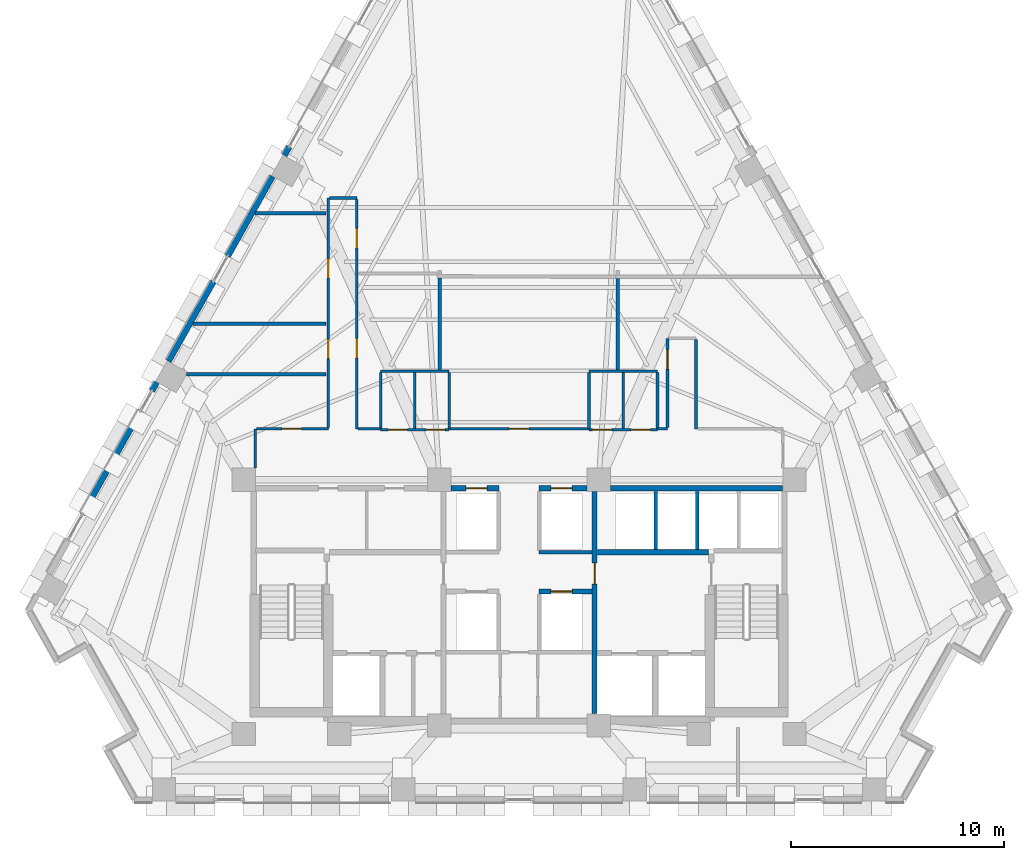
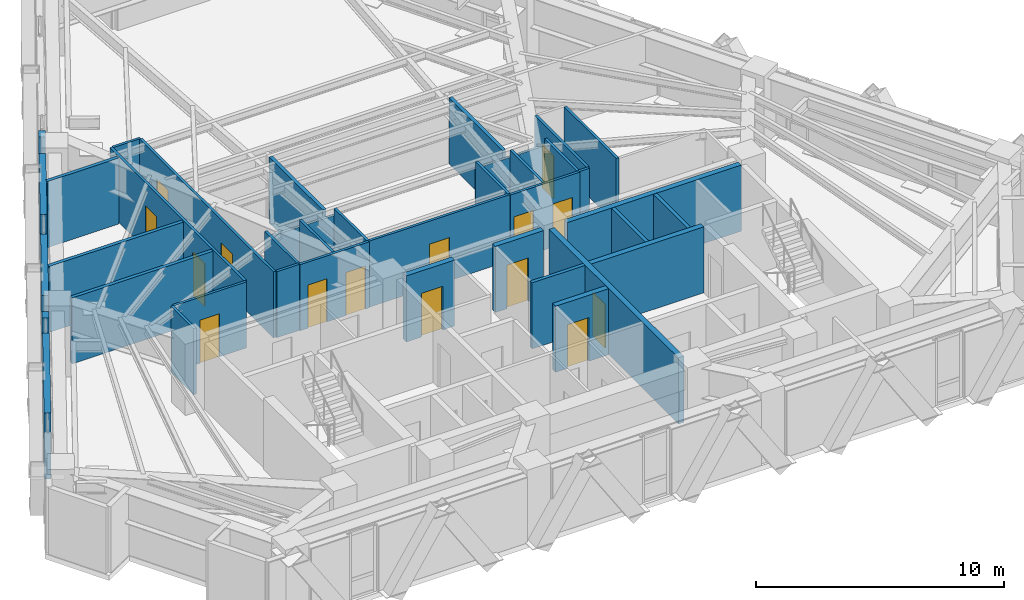
# One storey, part 8 of 13: 39 walls, 15 doors, 15 openings.
"""IFC4 building model written with IfcOpenShell, lengths in metres."""

import ifcopenshell
import ifcopenshell.guid

model = None  # the IFC model being written
_history = None  # IfcOwnerHistory: only IFC2X3 demands one
_inside = {}  # id of a spatial element -> (the spatial element, [elements in it])
_under = {}  # id of a project, library or spatial element -> (it, [spatial elements below it])
_declared = {}  # id of a project -> (the project, [libraries it declares])
_typed = {}  # id of a type object -> (the type object, [elements of that type])
_made_of = {}  # id of a material, layer set ... -> (it, [elements and type objects made of it])


def new_model(schema):
    """Start an empty IFC model of exactly this schema.

    Asked for "IFC4X3", IfcOpenShell would pick the latest addendum, in which some entities
    have other attributes; the version numbers below select the first issue.
    IFC2X3 requires an IfcOwnerHistory on every rooted entity: one is made here for all.
    """
    global model, _history
    if schema == "IFC4X3":
        model = ifcopenshell.file(schema_version=(4, 3, 0, 0))
    else:
        model = ifcopenshell.file(schema=schema)
    _inside.clear()
    _under.clear()
    _declared.clear()
    _typed.clear()
    _made_of.clear()
    _history = None
    if model.schema == "IFC2X3":
        org = make("IfcOrganization", Name="unknown")
        user = make(
            "IfcPersonAndOrganization",
            ThePerson=make("IfcPerson", FamilyName="unknown"),
            TheOrganization=org,
        )
        app = make(
            "IfcApplication",
            ApplicationDeveloper=org,
            Version="unknown",
            ApplicationFullName="unknown",
            ApplicationIdentifier="unknown",
        )
        _history = make(
            "IfcOwnerHistory",
            OwningUser=user,
            OwningApplication=app,
            ChangeAction="ADDED",
            CreationDate=0,
        )
    return model


def make(cls, **values):
    """One entity of the class cls with the attributes given. An attribute that is None is left unset."""
    return model.create_entity(
        cls, **{name: value for name, value in values.items() if value is not None}
    )


def rooted(cls, **values):
    """An entity with a GlobalId (a new one), such as an element, a storey or a relation."""
    return make(cls, GlobalId=ifcopenshell.guid.new(), OwnerHistory=_history, **values)


def si_unit(unit_type, name, prefix=None):
    """IfcSIUnit, for example si_unit("LENGTHUNIT", "METRE", prefix="MILLI")."""
    return make("IfcSIUnit", UnitType=unit_type, Prefix=prefix, Name=name)


def assignment(units):
    """IfcUnitAssignment: the units of a project."""
    return None if units is None else make("IfcUnitAssignment", Units=units)


def point(xyz):
    """IfcCartesianPoint."""
    return None if xyz is None else make("IfcCartesianPoint", Coordinates=xyz)


def direction(xyz):
    """IfcDirection."""
    return None if xyz is None else make("IfcDirection", DirectionRatios=xyz)


def frame(location, z_axis=None, x_axis=None):
    """IfcAxis2Placement3D, a coordinate frame: its origin and axes. An axis left out is left unset."""
    return make(
        "IfcAxis2Placement3D",
        Location=point(location),
        Axis=direction(z_axis),
        RefDirection=direction(x_axis),
    )


def frame_2d(location, x_axis=None):
    """IfcAxis2Placement2D, a coordinate frame in the plane: its origin and x axis."""
    return make(
        "IfcAxis2Placement2D", Location=point(location), RefDirection=direction(x_axis)
    )


def origin():
    """The frame at (0, 0, 0) with its axes left unset."""
    return frame((0.0, 0.0, 0.0))


def place(relative_to, where):
    """IfcLocalPlacement: puts the frame where relative to a parent placement (None: the world)."""
    return make(
        "IfcLocalPlacement", PlacementRelTo=relative_to, RelativePlacement=where
    )


def context(
    kind, dimensions, precision=None, world=None, true_north=None, identifier=None
):
    """IfcGeometricRepresentationContext, for example the 3D "Model" context."""
    return make(
        "IfcGeometricRepresentationContext",
        ContextIdentifier=identifier,
        ContextType=kind,
        CoordinateSpaceDimension=dimensions,
        Precision=precision,
        WorldCoordinateSystem=world,
        TrueNorth=true_north,
    )


def subcontext(parent, identifier, kind, view, scale=None):
    """IfcGeometricRepresentationSubContext, for example "Body" below "Model"."""
    return make(
        "IfcGeometricRepresentationSubContext",
        ContextIdentifier=identifier,
        ContextType=kind,
        ParentContext=parent,
        TargetScale=scale,
        TargetView=view,
    )


def project(units=None, contexts=None):
    """IfcProject with its units and contexts."""
    return rooted(
        "IfcProject",
        Name="project",
        RepresentationContexts=contexts,
        UnitsInContext=assignment(units),
    )


def spatial(cls, under=None, at=None, **own):
    """A site, building, storey or space (cls), placed at a placement, below another one or the project."""
    s = rooted(cls, ObjectPlacement=at, **own)
    if under is not None:
        _under.setdefault(under.id(), (under, []))[1].append(s)
    return s


def profile(cls, at=None, kind="AREA", **sizes):
    """A parametric profile (cls). Its sizes go by their IFC names, for example OverallWidth=200.0."""
    return make(cls, ProfileType=kind, Position=at, **sizes)


def rectangle(**sizes):
    """IfcRectangleProfileDef."""
    return profile("IfcRectangleProfileDef", **sizes)


def extrude(swept, where, along, depth):
    """IfcExtrudedAreaSolid: the profile swept, set in the frame where, extruded along a direction by depth."""
    return make(
        "IfcExtrudedAreaSolid",
        SweptArea=swept,
        Position=where,
        ExtrudedDirection=direction(along),
        Depth=depth,
    )


def shape(context_of_items, identifier, shape_type, items):
    """IfcShapeRepresentation: the items that make up one representation, for example the "Body"."""
    return make(
        "IfcShapeRepresentation",
        ContextOfItems=context_of_items,
        RepresentationIdentifier=identifier,
        RepresentationType=shape_type,
        Items=items,
    )


def material(Name=None, Category=None):
    """IfcMaterial."""
    return make("IfcMaterial", Name=Name, Category=Category)


def layer(
    of_material, thickness, ventilated=None, Name=None, Category=None, Priority=None
):
    """IfcMaterialLayer: one layer of a wall or slab, of a material (None: an air gap)."""
    return make(
        "IfcMaterialLayer",
        Material=of_material,
        LayerThickness=thickness,
        IsVentilated=ventilated,
        Name=Name,
        Category=Category,
        Priority=Priority,
    )


def layer_set(layers, Name=None):
    """IfcMaterialLayerSet."""
    return make("IfcMaterialLayerSet", MaterialLayers=layers, LayerSetName=Name)


def made_of(thing, what):
    """Note that an element or type object is made of a material, layer set ...; save() writes the relation."""
    if what is not None:
        _made_of.setdefault(what.id(), (what, []))[1].append(thing)
    return thing


def type_object(cls, material=None, **own):
    """A type object (cls), such as IfcWallType, which elements share."""
    return made_of(rooted(cls, **own), material)


def element(
    cls,
    number,
    at=None,
    inside=None,
    cuts=None,
    type_object=None,
    material=None,
    context=None,
    identifier="Body",
    shape_type=None,
    held_by="IfcProductDefinitionShape",
    body=None,
    shapes=None,
    **own,
):
    """One element of the class cls, such as IfcWall. Its Tag is "e" and its number.

    at: its placement. inside: the storey or other place that contains it. cuts: it is an
    opening in that element (IfcRelVoidsElement). A single representation is given by context,
    identifier, shape_type and body (its items); several are given by shapes. held_by: the class
    of the entity that holds the representations. save() writes the other relations.
    """
    e = rooted(cls, Tag="e%d" % number, ObjectPlacement=at, **own)
    if body is not None:
        shapes = [shape(context, identifier, shape_type, body)]
    if shapes is not None:
        e.Representation = make(held_by, Representations=shapes)
    if inside is not None:
        _inside.setdefault(inside.id(), (inside, []))[1].append(e)
    if cuts is not None:
        rooted(
            "IfcRelVoidsElement", RelatingBuildingElement=cuts, RelatedOpeningElement=e
        )
    if type_object is not None:
        _typed.setdefault(type_object.id(), (type_object, []))[1].append(e)
    return made_of(e, material)


def fill(opening, filler):
    """IfcRelFillsElement: the door or window that sits in an opening."""
    return rooted(
        "IfcRelFillsElement",
        RelatingOpeningElement=opening,
        RelatedBuildingElement=filler,
    )


def aggregate(whole, parts):
    """IfcRelAggregates: a whole, such as a stair, and the parts it consists of."""
    return rooted("IfcRelAggregates", RelatingObject=whole, RelatedObjects=parts)


def save(model, path):
    """Write the relations noted so far, then the file.

    IfcRelAggregates (storeys below a building ...), IfcRelContainedInSpatialStructure (elements
    in a storey), IfcRelDefinesByType, IfcRelAssociatesMaterial and IfcRelDeclares: one each for
    every whole, place, type object, material and project.
    """
    for whole, parts in _under.values():
        aggregate(whole, parts)
    for where, things in _inside.values():
        rooted(
            "IfcRelContainedInSpatialStructure",
            RelatedElements=things,
            RelatingStructure=where,
        )
    for kind, things in _typed.values():
        rooted("IfcRelDefinesByType", RelatedObjects=things, RelatingType=kind)
    for what, things in _made_of.values():
        rooted("IfcRelAssociatesMaterial", RelatedObjects=things, RelatingMaterial=what)
    for by, libraries in _declared.values():
        rooted("IfcRelDeclares", RelatingContext=by, RelatedDefinitions=libraries)
    model.write(path)


model = new_model("IFC4")

# Units and contexts
model_context = context("Model", 3, precision=1e-05, world=origin(), true_north=direction((0.0, 1.0)))
body_context = subcontext(model_context, "Body", "Model", "MODEL_VIEW")
ifc_project = project(units=[si_unit("LENGTHUNIT", "METRE"), si_unit("AREAUNIT", "SQUARE_METRE"), si_unit("VOLUMEUNIT", "CUBIC_METRE"), si_unit("PLANEANGLEUNIT", "RADIAN"), si_unit("MASSUNIT", "GRAM", prefix="KILO")], contexts=[model_context])

# Site, building, storey
site_placement = place(None, origin())
site = spatial("IfcSite", under=ifc_project, at=site_placement, CompositionType="ELEMENT")
building_placement = place(site_placement, origin())
building = spatial("IfcBuilding", under=site, at=building_placement, Name="Quenlor Broadcast Tower", CompositionType="ELEMENT")
storey_placement = place(building_placement, frame((0.0, 0.0, 126.5)))
storey = spatial("IfcBuildingStorey", under=building, at=storey_placement, Name="L34", CompositionType="ELEMENT", Elevation=126.5)

# Wall
ifc_material_1 = material(Name="Concrete C40/50", Category="concrete")
ifc_layer_1 = layer(ifc_material_1, 0.25)
ifc_layer_set_1 = layer_set([ifc_layer_1], Name="Fire Rated Concrete C40/50 Core Wall 250")
wall_type_1 = type_object("IfcWallType", Name="Fire Rated Concrete C40/50 Core Wall 250", PredefinedType="PARTITIONING", material=ifc_layer_set_1)
wall_1_placement = place(storey_placement, frame((3.679931640625, -8.199951171875, 0.0), z_axis=(0.0, 0.0, 1.0), x_axis=(1.0, 0.0, 0.0)))
element("IfcWall", 1, at=wall_1_placement, inside=storey, type_object=wall_type_1, Name="L34 Interior Wall CW-FFE-N", PredefinedType="PARTITIONING", context=body_context, shape_type="SweptSolid", body=[
    extrude(rectangle(XDim=5.239990234375, YDim=0.25, at=frame_2d((2.6201171875, 0.0))), origin(), (0.0, 0.0, 1.0), 3.25),
])

# Wall, opening, door
wall_2_placement = place(storey_placement, frame((3.550048828125, -15.798095703125, 0.0), z_axis=(0.0, 0.0, 1.0), x_axis=(0.0, 1.0, 0.0)))
wall_2 = element("IfcWall", 2, at=wall_2_placement, inside=storey, type_object=wall_type_1, Name="L34 Interior Wall CW-FFE-W", PredefinedType="PARTITIONING", context=body_context, shape_type="SweptSolid", body=[
    extrude(rectangle(XDim=10.446044921875, YDim=0.25, at=frame_2d((5.22314453125, 0.0))), origin(), (0.0, 0.0, 1.0), 3.25),
])
opening_1_placement = place(wall_2_placement, frame((6.097900390625, 0.0, 0.0)))
opening_1 = element("IfcOpeningElement", 3, at=opening_1_placement, cuts=wall_2, Name="Opening FD-2", PredefinedType="OPENING", context=body_context, shape_type="SweptSolid", body=[
    extrude(rectangle(XDim=1.0, YDim=2.14990234375, at=frame_2d((0.5, 1.074951171875))), frame((0.0, 0.135009765625, 0.0), z_axis=(0.0, -1.0, 0.0), x_axis=(1.0, 0.0, 0.0)), (0.0, 0.0, 1.0), 0.27001953125),
])
ifc_material_2 = material(Name="Fire Rated Glazed Steel Door", Category="steel")
door_type_1 = type_object("IfcDoorType", Name="Firefighting Lobby Smoke Door 1000x2150", OperationType="NOTDEFINED", PredefinedType="DOOR", material=ifc_material_2)
door_1_placement = place(opening_1_placement, origin())
door_1 = element("IfcDoor", 4, at=door_1_placement, inside=storey, type_object=door_type_1, Name="L34 Door DR-FFLE", OperationType="SINGLE_SWING_LEFT", OverallHeight=2.14990234375, OverallWidth=1.0, PredefinedType="DOOR", context=body_context, shape_type="SweptSolid", body=[
    extrude(rectangle(XDim=1.0, YDim=2.14990234375, at=frame_2d((0.5, 1.074951171875))), frame((0.0, 0.02490234375, 0.0), z_axis=(0.0, -1.0, 0.0), x_axis=(1.0, 0.0, 0.0)), (0.0, 0.0, 1.0), 0.050048828125),
])
fill(opening_1, door_1)

# Wall
wall_3_placement = place(storey_placement, frame((4.302001953125, -5.199951171875, 0.0), z_axis=(0.0, 0.0, 1.0), x_axis=(1.0, 0.0, 0.0)))
element("IfcWall", 5, at=wall_3_placement, inside=storey, type_object=wall_type_1, Name="L34 Interior Wall CW-N-E", PredefinedType="PARTITIONING", context=body_context, shape_type="SweptSolid", body=[
    extrude(rectangle(XDim=8.095947265625, YDim=0.25, at=frame_2d((4.0478515625, 0.0))), origin(), (0.0, 0.0, 1.0), 3.25),
])

# Wall, opening, door
wall_4_placement = place(storey_placement, frame((-3.197998046875, -5.199951171875, 0.0), z_axis=(0.0, 0.0, 1.0), x_axis=(1.0, 0.0, 0.0)))
wall_4 = element("IfcWall", 6, at=wall_4_placement, inside=storey, type_object=wall_type_1, Name="L34 Interior Wall CW-N-M1", PredefinedType="PARTITIONING", context=body_context, shape_type="SweptSolid", body=[
    extrude(rectangle(XDim=2.248046875, YDim=0.25, at=frame_2d((1.1240234375, 0.0))), origin(), (0.0, 0.0, 1.0), 3.25),
])
opening_2_placement = place(wall_4_placement, frame((0.697998046875, 0.0, 0.0)))
opening_2 = element("IfcOpeningElement", 7, at=opening_2_placement, cuts=wall_4, Name="Opening LD-PL-M1", PredefinedType="OPENING", context=body_context, shape_type="SweptSolid", body=[
    extrude(rectangle(XDim=1.0, YDim=2.14990234375, at=frame_2d((0.5, 1.074951171875))), frame((0.0, 0.135009765625, 0.0), z_axis=(0.0, -1.0, 0.0), x_axis=(1.0, 0.0, 0.0)), (0.0, 0.0, 1.0), 0.27001953125),
])
ifc_material_3 = material(Name="Brushed Stainless Steel", Category="steel")
door_type_2 = type_object("IfcDoorType", Name="Passenger Lift Sliding Landing Door 1000x2150", OperationType="NOTDEFINED", PredefinedType="DOOR", material=ifc_material_3)
door_2_placement = place(opening_2_placement, origin())
door_2 = element("IfcDoor", 8, at=door_2_placement, inside=storey, type_object=door_type_2, Name="L34 Door LD-PL-M1", OperationType="SLIDING_TO_LEFT", OverallHeight=2.14990234375, OverallWidth=1.0, PredefinedType="DOOR", context=body_context, shape_type="SweptSolid", body=[
    extrude(rectangle(XDim=1.0, YDim=2.14990234375, at=frame_2d((0.5, 1.074951171875))), frame((0.0, 0.02490234375, 0.0), z_axis=(0.0, -1.0, 0.0), x_axis=(1.0, 0.0, 0.0)), (0.0, 0.0, 1.0), 0.050048828125),
])
fill(opening_2, door_2)

wall_5_placement = place(storey_placement, frame((0.949951171875, -5.199951171875, 0.0), z_axis=(0.0, 0.0, 1.0), x_axis=(1.0, 0.0, 0.0)))
wall_5 = element("IfcWall", 9, at=wall_5_placement, inside=storey, type_object=wall_type_1, Name="L34 Interior Wall CW-N-M2", PredefinedType="PARTITIONING", context=body_context, shape_type="SweptSolid", body=[
    extrude(rectangle(XDim=2.248046875, YDim=0.25, at=frame_2d((1.1240234375, 0.0))), origin(), (0.0, 0.0, 1.0), 3.25),
])
opening_3_placement = place(wall_5_placement, frame((0.550048828125, 0.0, 0.0)))
opening_3 = element("IfcOpeningElement", 10, at=opening_3_placement, cuts=wall_5, Name="Opening LD-PL-M2", PredefinedType="OPENING", context=body_context, shape_type="SweptSolid", body=[
    extrude(rectangle(XDim=1.0, YDim=2.14990234375, at=frame_2d((0.5, 1.074951171875))), frame((0.0, 0.135009765625, 0.0), z_axis=(0.0, -1.0, 0.0), x_axis=(1.0, 0.0, 0.0)), (0.0, 0.0, 1.0), 0.27001953125),
])
door_3_placement = place(opening_3_placement, origin())
door_3 = element("IfcDoor", 11, at=door_3_placement, inside=storey, type_object=door_type_2, Name="L34 Door LD-PL-M2", OperationType="SLIDING_TO_RIGHT", OverallHeight=2.14990234375, OverallWidth=1.0, PredefinedType="DOOR", context=body_context, shape_type="SweptSolid", body=[
    extrude(rectangle(XDim=1.0, YDim=2.14990234375, at=frame_2d((0.5, 1.074951171875))), frame((0.0, 0.02490234375, 0.0), z_axis=(0.0, -1.0, 0.0), x_axis=(1.0, 0.0, 0.0)), (0.0, 0.0, 1.0), 0.050048828125),
])
fill(opening_3, door_3)

wall_6_placement = place(storey_placement, frame((0.949951171875, -10.050048828125, 0.0), z_axis=(0.0, 0.0, 1.0), x_axis=(1.0, 0.0, 0.0)))
wall_6 = element("IfcWall", 12, at=wall_6_placement, inside=storey, type_object=wall_type_1, Name="L34 Interior Wall CW-MS-N2", PredefinedType="PARTITIONING", context=body_context, shape_type="SweptSolid", body=[
    extrude(rectangle(XDim=2.469970703125, YDim=0.25, at=frame_2d((1.23486328125, 0.0))), origin(), (0.0, 0.0, 1.0), 3.25),
])
opening_4_placement = place(wall_6_placement, frame((0.550048828125, 0.0, 0.0)))
opening_4 = element("IfcOpeningElement", 13, at=opening_4_placement, cuts=wall_6, Name="Opening LD-PL-M4", PredefinedType="OPENING", context=body_context, shape_type="SweptSolid", body=[
    extrude(rectangle(XDim=1.0, YDim=2.14990234375, at=frame_2d((0.5, 1.074951171875))), frame((0.0, 0.135009765625, 0.0), z_axis=(0.0, -1.0, 0.0), x_axis=(1.0, 0.0, 0.0)), (0.0, 0.0, 1.0), 0.27001953125),
])
door_4_placement = place(opening_4_placement, origin())
door_4 = element("IfcDoor", 14, at=door_4_placement, inside=storey, type_object=door_type_2, Name="L34 Door LD-PL-M4", OperationType="SLIDING_TO_RIGHT", OverallHeight=2.14990234375, OverallWidth=1.0, PredefinedType="DOOR", context=body_context, shape_type="SweptSolid", body=[
    extrude(rectangle(XDim=1.0, YDim=2.14990234375, at=frame_2d((0.5, 1.074951171875))), frame((0.0, 0.02490234375, 0.0), z_axis=(0.0, -1.0, 0.0), x_axis=(1.0, 0.0, 0.0)), (0.0, 0.0, 1.0), 0.050048828125),
])
fill(opening_4, door_4)

# Walls
ifc_material_4 = material(Name="Gypsum Fireboard Partition", Category="other")
ifc_layer_2 = layer(ifc_material_4, 0.159912109375)
ifc_layer_set_2 = layer_set([ifc_layer_2], Name="Fire Rated Shaft and Corridor Partition 160")
wall_type_2 = type_object("IfcWallType", Name="Fire Rated Shaft and Corridor Partition 160", PredefinedType="PARTITIONING", material=ifc_layer_set_2)
for number, where, z_axis, x_axis, name in (
    (15, (6.425048828125, -8.072998046875, 0.0), (0.0, 0.0, 1.0), (0.0, 1.0, 0.0), "L34 Interior Wall CW-PLH-D1"),
    (16, (8.375, -8.072998046875, 0.0), (0.0, 0.0, 1.0), (0.0, 1.0, 0.0), "L34 Interior Wall CW-PLH-D2"),
):
    element("IfcWall", number, at=place(storey_placement, frame(where, z_axis=z_axis, x_axis=x_axis)), inside=storey, type_object=wall_type_2, Name=name, PredefinedType="PARTITIONING", context=body_context, shape_type="SweptSolid", body=[
        extrude(rectangle(XDim=2.73291015625, YDim=0.159912109375, at=frame_2d((1.366455078125, 0.0))), origin(), (0.0, 0.0, 1.0), 3.25),
    ])
wall_7_placement = place(storey_placement, frame((0.949951171875, -8.199951171875, 0.0), z_axis=(0.0, 0.0, 1.0), x_axis=(1.0, 0.0, 0.0)))
element("IfcWall", 17, at=wall_7_placement, inside=storey, type_object=wall_type_2, Name="L34 Interior Wall CW-M-BACK2", PredefinedType="PARTITIONING", context=body_context, shape_type="SweptSolid", body=[
    extrude(rectangle(XDim=2.469970703125, YDim=0.159912109375, at=frame_2d((1.23486328125, 0.0))), origin(), (0.0, 0.0, 1.0), 3.25),
])
wall_8_placement = place(storey_placement, frame((-9.080078125, 7.72998046875, 0.0), z_axis=(0.0, 0.0, 1.0), x_axis=(-1.0, 0.0, 0.0)))
element("IfcWall", 18, at=wall_8_placement, inside=storey, type_object=wall_type_2, Name="L34 Interior Wall PW-DV-01", PredefinedType="PARTITIONING", context=body_context, shape_type="SweptSolid", body=[
    extrude(rectangle(XDim=3.3251953125, YDim=0.159912109375, at=frame_2d((1.66259765625, 0.0))), origin(), (0.0, 0.0, 1.0), 3.25),
])
wall_9_placement = place(storey_placement, frame((-9.080078125, 2.530029296875, 0.0), z_axis=(0.0, 0.0, 1.0), x_axis=(-1.0, 0.0, 0.0)))
element("IfcWall", 19, at=wall_9_placement, inside=storey, type_object=wall_type_2, Name="L34 Interior Wall PW-DV-05", PredefinedType="PARTITIONING", context=body_context, shape_type="SweptSolid", body=[
    extrude(rectangle(XDim=6.250244140625, YDim=0.159912109375, at=frame_2d((3.125, 0.0))), origin(), (0.0, 0.0, 1.0), 3.25),
])
wall_10_placement = place(storey_placement, frame((4.639892578125, 0.3720703125, 0.0), z_axis=(0.0, 0.0, 1.0), x_axis=(0.0, 1.0, 0.0)))
element("IfcWall", 20, at=wall_10_placement, inside=storey, type_object=wall_type_2, Name="L34 Interior Wall PW-DV-06", PredefinedType="PARTITIONING", context=body_context, shape_type="SweptSolid", body=[
    extrude(rectangle(XDim=4.299560546875, YDim=0.159912109375, at=frame_2d((2.14990234375, 0.0))), origin(), (0.0, 0.0, 1.0), 3.25),
])
wall_11_placement = place(storey_placement, frame((-3.719970703125, 4.6826171875, 0.0), z_axis=(0.0, 0.0, 1.0), x_axis=(0.0, -1.0, 0.0)))
element("IfcWall", 21, at=wall_11_placement, inside=storey, type_object=wall_type_2, Name="L34 Interior Wall PW-DV-07S2", PredefinedType="PARTITIONING", context=body_context, shape_type="SweptSolid", body=[
    extrude(rectangle(XDim=4.310546875, YDim=0.159912109375, at=frame_2d((2.1552734375, 0.0))), origin(), (0.0, 0.0, 1.0), 3.25),
])
wall_12_placement = place(storey_placement, frame((-9.080078125, 0.15478515625, 0.0), z_axis=(0.0, 0.0, 1.0), x_axis=(-1.0, 0.0, 0.0)))
element("IfcWall", 22, at=wall_12_placement, inside=storey, type_object=wall_type_2, Name="L34 Interior Wall PW-DV-08", PredefinedType="PARTITIONING", context=body_context, shape_type="SweptSolid", body=[
    extrude(rectangle(XDim=6.5537109375, YDim=0.159912109375, at=frame_2d((3.27685546875, 0.0))), origin(), (0.0, 0.0, 1.0), 3.25),
])

# Wall, openings, doors
ifc_material_5 = material(Name="Gypsum Plasterboard Partition", Category="other")
ifc_layer_3 = layer(ifc_material_5, 0.1201171875)
ifc_layer_set_3 = layer_set([ifc_layer_3], Name="Standard Office Partition 120")
wall_type_3 = type_object("IfcWallType", Name="Standard Office Partition 120", PredefinedType="PARTITIONING", material=ifc_layer_set_3)
wall_13_placement = place(storey_placement, frame((-6.510009765625, -2.43994140625, 0.0), z_axis=(0.0, 0.0, 1.0), x_axis=(1.0, 0.0, 0.0)))
wall_13 = element("IfcWall", 23, at=wall_13_placement, inside=storey, type_object=wall_type_3, Name="L34 Interior Wall PW-WCW-S", PredefinedType="PARTITIONING", context=body_context, shape_type="SweptSolid", body=[
    extrude(rectangle(XDim=3.219970703125, YDim=0.1201171875, at=frame_2d((1.60986328125, 0.0))), origin(), (0.0, 0.0, 1.0), 3.25),
])
opening_5_placement = place(wall_13_placement, frame((0.360107421875, 0.0, 0.0)))
opening_5 = element("IfcOpeningElement", 24, at=opening_5_placement, cuts=wall_13, Name="Opening ID-3", PredefinedType="OPENING", context=body_context, shape_type="SweptSolid", body=[
    extrude(rectangle(XDim=0.89990234375, YDim=2.1201171875, at=frame_2d((0.449951171875, 1.06005859375))), frame((0.0, 0.070068359375, 0.0), z_axis=(0.0, -1.0, 0.0), x_axis=(1.0, 0.0, 0.0)), (0.0, 0.0, 1.0), 0.14013671875),
])
opening_6_placement = place(wall_13_placement, frame((2.139892578125, 0.0, 0.0)))
opening_6 = element("IfcOpeningElement", 25, at=opening_6_placement, cuts=wall_13, Name="Opening ID-3", PredefinedType="OPENING", context=body_context, shape_type="SweptSolid", body=[
    extrude(rectangle(XDim=0.89990234375, YDim=2.1201171875, at=frame_2d((0.449951171875, 1.06005859375))), frame((0.0, 0.070068359375, 0.0), z_axis=(0.0, -1.0, 0.0), x_axis=(1.0, 0.0, 0.0)), (0.0, 0.0, 1.0), 0.14013671875),
])
ifc_material_6 = material(Name="Moisture Resistant Timber Oak", Category="wood")
door_type_3 = type_object("IfcDoorType", Name="Washroom Privacy Door 900x2120", OperationType="NOTDEFINED", PredefinedType="DOOR", material=ifc_material_6)
door_5_placement = place(opening_5_placement, origin())
door_5 = element("IfcDoor", 26, at=door_5_placement, inside=storey, type_object=door_type_3, Name="L34 Door DR-AWC", OperationType="SINGLE_SWING_LEFT", OverallHeight=2.1201171875, OverallWidth=0.89990234375, PredefinedType="DOOR", context=body_context, shape_type="SweptSolid", body=[
    extrude(rectangle(XDim=0.89990234375, YDim=2.1201171875, at=frame_2d((0.449951171875, 1.06005859375))), frame((0.0, 0.02490234375, 0.0), z_axis=(0.0, -1.0, 0.0), x_axis=(1.0, 0.0, 0.0)), (0.0, 0.0, 1.0), 0.050048828125),
])
fill(opening_5, door_5)
door_6_placement = place(opening_6_placement, origin())
door_6 = element("IfcDoor", 27, at=door_6_placement, inside=storey, type_object=door_type_3, Name="L34 Door DR-SHW", OperationType="SINGLE_SWING_RIGHT", OverallHeight=2.1201171875, OverallWidth=0.89990234375, PredefinedType="DOOR", context=body_context, shape_type="SweptSolid", body=[
    extrude(rectangle(XDim=0.89990234375, YDim=2.1201171875, at=frame_2d((0.449951171875, 1.06005859375))), frame((0.0, 0.02490234375, 0.0), z_axis=(0.0, -1.0, 0.0), x_axis=(1.0, 0.0, 0.0)), (0.0, 0.0, 1.0), 0.050048828125),
])
fill(opening_6, door_6)

# Walls
wall_14_placement = place(storey_placement, frame((-6.510009765625, 0.31005859375, 0.0), z_axis=(0.0, 0.0, 1.0), x_axis=(1.0, 0.0, 0.0)))
element("IfcWall", 28, at=wall_14_placement, inside=storey, type_object=wall_type_3, Name="L34 Interior Wall PW-WCW-N", PredefinedType="PARTITIONING", context=body_context, shape_type="SweptSolid", body=[
    extrude(rectangle(XDim=3.219970703125, YDim=0.1201171875, at=frame_2d((1.60986328125, 0.0))), origin(), (0.0, 0.0, 1.0), 2.891357421875),
])
for number, where, z_axis, x_axis, name in (
    (29, (-6.510009765625, -2.3779296875, 0.0), (0.0, 0.0, 1.0), (0.0, 1.0, 0.0), "L34 Interior Wall PW-WCW-W"),
    (30, (-4.89990234375, -2.3779296875, 0.0), (0.0, 0.0, 1.0), (0.0, 1.0, 0.0), "L34 Interior Wall PW-WCW-M"),
    (31, (-3.2900390625, -2.3779296875, 0.0), (0.0, 0.0, 1.0), (0.0, 1.0, 0.0), "L34 Interior Wall PW-WCW-E"),
):
    element("IfcWall", number, at=place(storey_placement, frame(where, z_axis=z_axis, x_axis=x_axis)), inside=storey, type_object=wall_type_3, Name=name, PredefinedType="PARTITIONING", context=body_context, shape_type="SweptSolid", body=[
        extrude(rectangle(XDim=2.6259765625, YDim=0.1201171875, at=frame_2d((1.31298828125, 0.0))), origin(), (0.0, 0.0, 1.0), 3.25),
    ])

# Wall, openings, doors
wall_15_placement = place(storey_placement, frame((3.2900390625, -2.43994140625, 0.0), z_axis=(0.0, 0.0, 1.0), x_axis=(1.0, 0.0, 0.0)))
wall_15 = element("IfcWall", 32, at=wall_15_placement, inside=storey, type_object=wall_type_3, Name="L34 Interior Wall PW-WCE-S", PredefinedType="PARTITIONING", context=body_context, shape_type="SweptSolid", body=[
    extrude(rectangle(XDim=3.219970703125, YDim=0.1201171875, at=frame_2d((1.60986328125, 0.0))), origin(), (0.0, 0.0, 1.0), 3.25),
])
opening_7_placement = place(wall_15_placement, frame((1.97998046875, 0.0, 0.0)))
opening_7 = element("IfcOpeningElement", 33, at=opening_7_placement, cuts=wall_15, Name="Opening ID-3", PredefinedType="OPENING", context=body_context, shape_type="SweptSolid", body=[
    extrude(rectangle(XDim=0.89990234375, YDim=2.1201171875, at=frame_2d((0.449951171875, 1.06005859375))), frame((0.0, 0.070068359375, 0.0), z_axis=(0.0, -1.0, 0.0), x_axis=(1.0, 0.0, 0.0)), (0.0, 0.0, 1.0), 0.14013671875),
])
opening_8_placement = place(wall_15_placement, frame((0.159912109375, 0.0, 0.0)))
opening_8 = element("IfcOpeningElement", 34, at=opening_8_placement, cuts=wall_15, Name="Opening ID-3", PredefinedType="OPENING", context=body_context, shape_type="SweptSolid", body=[
    extrude(rectangle(XDim=0.89990234375, YDim=2.1201171875, at=frame_2d((0.449951171875, 1.06005859375))), frame((0.0, 0.070068359375, 0.0), z_axis=(0.0, -1.0, 0.0), x_axis=(1.0, 0.0, 0.0)), (0.0, 0.0, 1.0), 0.14013671875),
])
door_7_placement = place(opening_7_placement, origin())
door_7 = element("IfcDoor", 35, at=door_7_placement, inside=storey, type_object=door_type_3, Name="L34 Door DR-MWC", OperationType="SINGLE_SWING_LEFT", OverallHeight=2.1201171875, OverallWidth=0.89990234375, PredefinedType="DOOR", context=body_context, shape_type="SweptSolid", body=[
    extrude(rectangle(XDim=0.89990234375, YDim=2.1201171875, at=frame_2d((0.449951171875, 1.06005859375))), frame((0.0, 0.02490234375, 0.0), z_axis=(0.0, -1.0, 0.0), x_axis=(1.0, 0.0, 0.0)), (0.0, 0.0, 1.0), 0.050048828125),
])
fill(opening_7, door_7)
door_8_placement = place(opening_8_placement, origin())
door_8 = element("IfcDoor", 36, at=door_8_placement, inside=storey, type_object=door_type_3, Name="L34 Door DR-FWC", OperationType="SINGLE_SWING_RIGHT", OverallHeight=2.1201171875, OverallWidth=0.89990234375, PredefinedType="DOOR", context=body_context, shape_type="SweptSolid", body=[
    extrude(rectangle(XDim=0.89990234375, YDim=2.1201171875, at=frame_2d((0.449951171875, 1.06005859375))), frame((0.0, 0.02490234375, 0.0), z_axis=(0.0, -1.0, 0.0), x_axis=(1.0, 0.0, 0.0)), (0.0, 0.0, 1.0), 0.050048828125),
])
fill(opening_8, door_8)

# Walls
wall_16_placement = place(storey_placement, frame((3.2900390625, 0.31005859375, 0.0), z_axis=(0.0, 0.0, 1.0), x_axis=(1.0, 0.0, 0.0)))
element("IfcWall", 37, at=wall_16_placement, inside=storey, type_object=wall_type_3, Name="L34 Interior Wall PW-WCE-N", PredefinedType="PARTITIONING", context=body_context, shape_type="SweptSolid", body=[
    extrude(rectangle(XDim=3.219970703125, YDim=0.1201171875, at=frame_2d((1.60986328125, 0.0))), origin(), (0.0, 0.0, 1.0), 2.891357421875),
])
for number, where, z_axis, x_axis, name in (
    (38, (3.2900390625, -2.3779296875, 0.0), (0.0, 0.0, 1.0), (0.0, 1.0, 0.0), "L34 Interior Wall PW-WCE-W"),
    (39, (4.89990234375, -2.3779296875, 0.0), (0.0, 0.0, 1.0), (0.0, 1.0, 0.0), "L34 Interior Wall PW-WCE-M"),
    (40, (6.510009765625, -2.3779296875, 0.0), (0.0, 0.0, 1.0), (0.0, 1.0, 0.0), "L34 Interior Wall PW-WCE-E"),
):
    element("IfcWall", number, at=place(storey_placement, frame(where, z_axis=z_axis, x_axis=x_axis)), inside=storey, type_object=wall_type_3, Name=name, PredefinedType="PARTITIONING", context=body_context, shape_type="SweptSolid", body=[
        extrude(rectangle(XDim=2.6259765625, YDim=0.1201171875, at=frame_2d((1.31298828125, 0.0))), origin(), (0.0, 0.0, 1.0), 3.25),
    ])
wall_17_placement = place(storey_placement, frame((-12.409912109375, -4.248046875, 0.0), z_axis=(0.0, 0.0, 1.0), x_axis=(0.0, 1.0, 0.0)))
element("IfcWall", 41, at=wall_17_placement, inside=storey, type_object=wall_type_3, Name="L34 Interior Wall PW-CR-01", PredefinedType="PARTITIONING", context=body_context, shape_type="SweptSolid", body=[
    extrude(rectangle(XDim=1.84814453125, YDim=0.1201171875, at=frame_2d((0.924072265625, 0.0))), origin(), (0.0, 0.0, 1.0), 3.25),
])

# Wall, opening, door
wall_18_placement = place(storey_placement, frame((-12.347900390625, -2.39990234375, 0.0), z_axis=(0.0, 0.0, 1.0), x_axis=(1.0, 0.0, 0.0)))
wall_18 = element("IfcWall", 42, at=wall_18_placement, inside=storey, type_object=wall_type_3, Name="L34 Interior Wall PW-CR-02", PredefinedType="PARTITIONING", context=body_context, shape_type="SweptSolid", body=[
    extrude(rectangle(XDim=3.3779296875, YDim=0.1201171875, at=frame_2d((1.68896484375, 0.0))), origin(), (0.0, 0.0, 1.0), 3.25),
])
opening_9_placement = place(wall_18_placement, frame((1.197998046875, 0.0, 0.0)))
opening_9 = element("IfcOpeningElement", 43, at=opening_9_placement, cuts=wall_18, Name="Opening ID-1", PredefinedType="OPENING", context=body_context, shape_type="SweptSolid", body=[
    extrude(rectangle(XDim=0.919921875, YDim=2.1201171875, at=frame_2d((0.4599609375, 1.06005859375))), frame((0.0, 0.070068359375, 0.0), z_axis=(0.0, -1.0, 0.0), x_axis=(1.0, 0.0, 0.0)), (0.0, 0.0, 1.0), 0.14013671875),
])
ifc_material_7 = material(Name="Solid Core Timber Oak", Category="wood")
door_type_4 = type_object("IfcDoorType", Name="Single Leaf Timber Office Door 920x2120", OperationType="NOTDEFINED", PredefinedType="DOOR", material=ifc_material_7)
door_9_placement = place(opening_9_placement, origin())
door_9 = element("IfcDoor", 44, at=door_9_placement, inside=storey, type_object=door_type_4, Name="L34 Door DR-RM08", OperationType="SINGLE_SWING_RIGHT", OverallHeight=2.1201171875, OverallWidth=0.919921875, PredefinedType="DOOR", context=body_context, shape_type="SweptSolid", body=[
    extrude(rectangle(XDim=0.919921875, YDim=2.1201171875, at=frame_2d((0.4599609375, 1.06005859375))), frame((0.0, 0.02490234375, 0.0), z_axis=(0.0, -1.0, 0.0), x_axis=(1.0, 0.0, 0.0)), (0.0, 0.0, 1.0), 0.050048828125),
])
fill(opening_9, door_9)

# Wall, openings, doors
wall_19_placement = place(storey_placement, frame((-8.969970703125, -2.337890625, 0.0), z_axis=(0.0, 0.0, 1.0), x_axis=(0.0, 1.0, 0.0)))
wall_19 = element("IfcWall", 45, at=wall_19_placement, inside=storey, type_object=wall_type_3, Name="L34 Interior Wall PW-CR-03", PredefinedType="PARTITIONING", context=body_context, shape_type="SweptSolid", body=[
    extrude(rectangle(XDim=10.787841796875, YDim=0.1201171875, at=frame_2d((5.39404296875, 0.0))), origin(), (0.0, 0.0, 1.0), 3.25),
])
opening_10_placement = place(wall_19_placement, frame((7.028076171875, 0.0, 0.0)))
opening_10 = element("IfcOpeningElement", 46, at=opening_10_placement, cuts=wall_19, Name="Opening ID-1", PredefinedType="OPENING", context=body_context, shape_type="SweptSolid", body=[
    extrude(rectangle(XDim=0.919921875, YDim=2.1201171875, at=frame_2d((0.4599609375, 1.06005859375))), frame((0.0, 0.070068359375, 0.0), z_axis=(0.0, -1.0, 0.0), x_axis=(1.0, 0.0, 0.0)), (0.0, 0.0, 1.0), 0.14013671875),
])
opening_11_placement = place(wall_19_placement, frame((3.239990234375, 0.0, 0.0)))
opening_11 = element("IfcOpeningElement", 47, at=opening_11_placement, cuts=wall_19, Name="Opening ID-1", PredefinedType="OPENING", context=body_context, shape_type="SweptSolid", body=[
    extrude(rectangle(XDim=0.919921875, YDim=2.1201171875, at=frame_2d((0.4599609375, 1.06005859375))), frame((0.0, 0.070068359375, 0.0), z_axis=(0.0, -1.0, 0.0), x_axis=(1.0, 0.0, 0.0)), (0.0, 0.0, 1.0), 0.14013671875),
])
door_10_placement = place(opening_10_placement, origin())
door_10 = element("IfcDoor", 48, at=door_10_placement, inside=storey, type_object=door_type_4, Name="L34 Door DR-RM02", OperationType="SINGLE_SWING_RIGHT", OverallHeight=2.1201171875, OverallWidth=0.919921875, PredefinedType="DOOR", context=body_context, shape_type="SweptSolid", body=[
    extrude(rectangle(XDim=0.919921875, YDim=2.1201171875, at=frame_2d((0.4599609375, 1.06005859375))), frame((0.0, 0.02490234375, 0.0), z_axis=(0.0, -1.0, 0.0), x_axis=(1.0, 0.0, 0.0)), (0.0, 0.0, 1.0), 0.050048828125),
])
fill(opening_10, door_10)
door_11_placement = place(opening_11_placement, origin())
door_11 = element("IfcDoor", 49, at=door_11_placement, inside=storey, type_object=door_type_4, Name="L34 Door DR-RM06", OperationType="SINGLE_SWING_RIGHT", OverallHeight=2.1201171875, OverallWidth=0.919921875, PredefinedType="DOOR", context=body_context, shape_type="SweptSolid", body=[
    extrude(rectangle(XDim=0.919921875, YDim=2.1201171875, at=frame_2d((0.4599609375, 1.06005859375))), frame((0.0, 0.02490234375, 0.0), z_axis=(0.0, -1.0, 0.0), x_axis=(1.0, 0.0, 0.0)), (0.0, 0.0, 1.0), 0.050048828125),
])
fill(opening_11, door_11)

# Wall
wall_20_placement = place(storey_placement, frame((-8.907958984375, 8.449951171875, 0.0), z_axis=(0.0, 0.0, 1.0), x_axis=(1.0, 0.0, 0.0)))
element("IfcWall", 50, at=wall_20_placement, inside=storey, type_object=wall_type_3, Name="L34 Interior Wall PW-CR-04", PredefinedType="PARTITIONING", context=body_context, shape_type="SweptSolid", body=[
    extrude(rectangle(XDim=1.278076171875, YDim=0.1201171875, at=frame_2d((0.63916015625, 0.0))), origin(), (0.0, 0.0, 1.0), 3.25),
])

# Wall, openings, doors
wall_21_placement = place(storey_placement, frame((-7.6298828125, 8.387939453125, 0.0), z_axis=(0.0, 0.0, 1.0), x_axis=(0.0, -1.0, 0.0)))
wall_21 = element("IfcWall", 51, at=wall_21_placement, inside=storey, type_object=wall_type_3, Name="L34 Interior Wall PW-CR-05", PredefinedType="PARTITIONING", context=body_context, shape_type="SweptSolid", body=[
    extrude(rectangle(XDim=10.787841796875, YDim=0.1201171875, at=frame_2d((5.39404296875, 0.0))), origin(), (0.0, 0.0, 1.0), 3.25),
])
opening_12_placement = place(wall_21_placement, frame((1.362060546875, 0.0, 0.0)))
opening_12 = element("IfcOpeningElement", 52, at=opening_12_placement, cuts=wall_21, Name="Opening ID-1", PredefinedType="OPENING", context=body_context, shape_type="SweptSolid", body=[
    extrude(rectangle(XDim=0.919921875, YDim=2.1201171875, at=frame_2d((0.4599609375, 1.06005859375))), frame((0.0, 0.070068359375, 0.0), z_axis=(0.0, -1.0, 0.0), x_axis=(1.0, 0.0, 0.0)), (0.0, 0.0, 1.0), 0.14013671875),
])
opening_13_placement = place(wall_21_placement, frame((6.549072265625, 0.0, 0.0)))
opening_13 = element("IfcOpeningElement", 53, at=opening_13_placement, cuts=wall_21, Name="Opening ID-1", PredefinedType="OPENING", context=body_context, shape_type="SweptSolid", body=[
    extrude(rectangle(XDim=0.919921875, YDim=2.1201171875, at=frame_2d((0.4599609375, 1.06005859375))), frame((0.0, 0.070068359375, 0.0), z_axis=(0.0, -1.0, 0.0), x_axis=(1.0, 0.0, 0.0)), (0.0, 0.0, 1.0), 0.14013671875),
])
door_12_placement = place(opening_12_placement, origin())
door_12 = element("IfcDoor", 54, at=door_12_placement, inside=storey, type_object=door_type_4, Name="L34 Door DR-RM01", OperationType="SINGLE_SWING_LEFT", OverallHeight=2.1201171875, OverallWidth=0.919921875, PredefinedType="DOOR", context=body_context, shape_type="SweptSolid", body=[
    extrude(rectangle(XDim=0.919921875, YDim=2.1201171875, at=frame_2d((0.4599609375, 1.06005859375))), frame((0.0, 0.02490234375, 0.0), z_axis=(0.0, -1.0, 0.0), x_axis=(1.0, 0.0, 0.0)), (0.0, 0.0, 1.0), 0.050048828125),
])
fill(opening_12, door_12)
door_13_placement = place(opening_13_placement, origin())
door_13 = element("IfcDoor", 55, at=door_13_placement, inside=storey, type_object=door_type_4, Name="L34 Door DR-RM04", OperationType="SINGLE_SWING_RIGHT", OverallHeight=2.1201171875, OverallWidth=0.919921875, PredefinedType="DOOR", context=body_context, shape_type="SweptSolid", body=[
    extrude(rectangle(XDim=0.919921875, YDim=2.1201171875, at=frame_2d((0.4599609375, 1.06005859375))), frame((0.0, 0.02490234375, 0.0), z_axis=(0.0, -1.0, 0.0), x_axis=(1.0, 0.0, 0.0)), (0.0, 0.0, 1.0), 0.050048828125),
])
fill(opening_13, door_13)

# Wall
wall_22_placement = place(storey_placement, frame((-7.568115234375, -2.39990234375, 0.0), z_axis=(0.0, 0.0, 1.0), x_axis=(1.0, 0.0, 0.0)))
element("IfcWall", 56, at=wall_22_placement, inside=storey, type_object=wall_type_3, Name="L34 Interior Wall PW-CR-06", PredefinedType="PARTITIONING", context=body_context, shape_type="SweptSolid", body=[
    extrude(rectangle(XDim=1.05615234375, YDim=0.1201171875, at=frame_2d((0.528076171875, 0.0))), origin(), (0.0, 0.0, 1.0), 3.25),
])

# Wall, opening, door
wall_23_placement = place(storey_placement, frame((-3.2880859375, -2.39990234375, 0.0), z_axis=(0.0, 0.0, 1.0), x_axis=(1.0, 0.0, 0.0)))
wall_23 = element("IfcWall", 57, at=wall_23_placement, inside=storey, type_object=wall_type_3, Name="L34 Interior Wall PW-CR-06S2", PredefinedType="PARTITIONING", context=body_context, shape_type="SweptSolid", body=[
    extrude(rectangle(XDim=6.576171875, YDim=0.1201171875, at=frame_2d((3.2880859375, 0.0))), origin(), (0.0, 0.0, 1.0), 3.25),
])
opening_14_placement = place(wall_23_placement, frame((2.827880859375, 0.0, 0.0)))
opening_14 = element("IfcOpeningElement", 58, at=opening_14_placement, cuts=wall_23, Name="Opening ID-1", PredefinedType="OPENING", context=body_context, shape_type="SweptSolid", body=[
    extrude(rectangle(XDim=0.919921875, YDim=2.1201171875, at=frame_2d((0.4599609375, 1.06005859375))), frame((0.0, 0.070068359375, 0.0), z_axis=(0.0, -1.0, 0.0), x_axis=(1.0, 0.0, 0.0)), (0.0, 0.0, 1.0), 0.14013671875),
])
door_14_placement = place(opening_14_placement, origin())
door_14 = element("IfcDoor", 59, at=door_14_placement, inside=storey, type_object=door_type_4, Name="L34 Door DR-RM05", OperationType="SINGLE_SWING_LEFT", OverallHeight=2.1201171875, OverallWidth=0.919921875, PredefinedType="DOOR", context=body_context, shape_type="SweptSolid", body=[
    extrude(rectangle(XDim=0.919921875, YDim=2.1201171875, at=frame_2d((0.4599609375, 1.06005859375))), frame((0.0, 0.02490234375, 0.0), z_axis=(0.0, -1.0, 0.0), x_axis=(1.0, 0.0, 0.0)), (0.0, 0.0, 1.0), 0.050048828125),
])
fill(opening_14, door_14)

# Wall
wall_24_placement = place(storey_placement, frame((6.511962890625, -2.39990234375, 0.0), z_axis=(0.0, 0.0, 1.0), x_axis=(1.0, 0.0, 0.0)))
element("IfcWall", 60, at=wall_24_placement, inside=storey, type_object=wall_type_3, Name="L34 Interior Wall PW-CR-06S3", PredefinedType="PARTITIONING", context=body_context, shape_type="SweptSolid", body=[
    extrude(rectangle(XDim=0.468017578125, YDim=0.1201171875, at=frame_2d((0.23388671875, 0.0))), origin(), (0.0, 0.0, 1.0), 3.25),
])

# Wall, opening, door
wall_25_placement = place(storey_placement, frame((6.97998046875, -2.337890625, 0.0), z_axis=(0.0, 0.0, 1.0), x_axis=(0.0, 1.0, 0.0)))
wall_25 = element("IfcWall", 61, at=wall_25_placement, inside=storey, type_object=wall_type_3, Name="L34 Interior Wall PW-CR-07", PredefinedType="PARTITIONING", context=body_context, shape_type="SweptSolid", body=[
    extrude(rectangle(XDim=4.18798828125, YDim=0.1201171875, at=frame_2d((2.093994140625, 0.0))), origin(), (0.0, 0.0, 1.0), 3.25),
])
opening_15_placement = place(wall_25_placement, frame((2.742919921875, 0.0, 0.0)))
opening_15 = element("IfcOpeningElement", 62, at=opening_15_placement, cuts=wall_25, Name="Opening ID-1", PredefinedType="OPENING", context=body_context, shape_type="SweptSolid", body=[
    extrude(rectangle(XDim=0.919921875, YDim=2.1201171875, at=frame_2d((0.4599609375, 1.06005859375))), frame((0.0, 0.070068359375, 0.0), z_axis=(0.0, -1.0, 0.0), x_axis=(1.0, 0.0, 0.0)), (0.0, 0.0, 1.0), 0.14013671875),
])
door_15_placement = place(opening_15_placement, origin())
door_15 = element("IfcDoor", 63, at=door_15_placement, inside=storey, type_object=door_type_4, Name="L34 Door DR-RM03", OperationType="SINGLE_SWING_LEFT", OverallHeight=2.1201171875, OverallWidth=0.919921875, PredefinedType="DOOR", context=body_context, shape_type="SweptSolid", body=[
    extrude(rectangle(XDim=0.919921875, YDim=2.1201171875, at=frame_2d((0.4599609375, 1.06005859375))), frame((0.0, 0.02490234375, 0.0), z_axis=(0.0, -1.0, 0.0), x_axis=(1.0, 0.0, 0.0)), (0.0, 0.0, 1.0), 0.050048828125),
])
fill(opening_15, door_15)

# Walls
wall_26_placement = place(storey_placement, frame((8.320068359375, 1.7880859375, 0.0), z_axis=(0.0, 0.0, 1.0), x_axis=(0.0, -1.0, 0.0)))
element("IfcWall", 64, at=wall_26_placement, inside=storey, type_object=wall_type_3, Name="L34 Interior Wall PW-CR-09", PredefinedType="PARTITIONING", context=body_context, shape_type="SweptSolid", body=[
    extrude(rectangle(XDim=4.18798828125, YDim=0.1201171875, at=frame_2d((2.093994140625, 0.0))), origin(), (0.0, 0.0, 1.0), 3.25),
])
ifc_material_8 = material(Name="Precast concrete C40/50", Category="concrete")
ifc_layer_4 = layer(ifc_material_8, 0.280029296875)
ifc_layer_set_4 = layer_set([ifc_layer_4], Name="Terracotta Precast Concrete C40/50 Facade Wall 280")
wall_type_4 = type_object("IfcWallType", Name="Terracotta Precast Concrete C40/50 Facade Wall 280", PredefinedType="STANDARD", material=ifc_layer_set_4)
wall_27_placement = place(storey_placement, frame((-20.527099609375, -6.419189453125, 0.0), z_axis=(0.0, 0.0, 1.0), x_axis=(0.490265381388, 0.871573207374, 0.0)))
element("IfcWall", 65, at=wall_27_placement, inside=storey, type_object=wall_type_4, Name="L34 Exterior Wall L34-NWA-SP2", PredefinedType="STANDARD", context=body_context, shape_type="SweptSolid", body=[
    extrude(rectangle(XDim=5.59716796875, YDim=0.280029296875, at=frame_2d((2.798583984375, 0.0))), origin(), (0.0, 0.0, 1.0), 3.25),
])
for number, where, z_axis, x_axis, name in (
    (66, (-17.264404296875, -0.618896484375, 0.0), (0.0, 0.0, 1.0), (0.490009165718, 0.871717280724, 0.0), "L34 Exterior Wall L34-NWA-SP3"),
    (67, (-11.031982421875, 10.461181640625, 0.0), (0.0, 0.0, 1.0), (0.490412424957, 0.871490478116, 0.0), "L34 Exterior Wall L34-NWC-SP1"),
):
    element("IfcWall", number, at=place(storey_placement, frame(where, z_axis=z_axis, x_axis=x_axis)), inside=storey, type_object=wall_type_4, Name=name, PredefinedType="STANDARD", context=body_context, shape_type="SweptSolid", body=[
        extrude(rectangle(XDim=0.4599609375, YDim=0.280029296875, at=frame_2d((0.22998046875, 0.0))), origin(), (0.0, 0.0, 1.0), 3.25),
    ])
for number, where, z_axis, x_axis, name in (
    (68, (-16.477783203125, 0.780029296875, 0.0), (0.0, 0.0, 1.0), (0.490293592365, 0.871557337922, 0.0), "L34 Exterior Wall L34-NW-SP1"),
    (69, (-13.701171875, 5.716064453125, 0.0), (0.0, 0.0, 1.0), (0.490293592365, 0.871557337922, 0.0), "L34 Exterior Wall L34-NW-SP2"),
):
    element("IfcWall", number, at=place(storey_placement, frame(where, z_axis=z_axis, x_axis=x_axis)), inside=storey, type_object=wall_type_4, Name=name, PredefinedType="STANDARD", context=body_context, shape_type="SweptSolid", body=[
        extrude(rectangle(XDim=4.29931640625, YDim=0.280029296875, at=frame_2d((2.149658203125, 0.0))), origin(), (0.0, 0.0, 1.0), 3.25),
    ])

save(model, "model.ifc")
